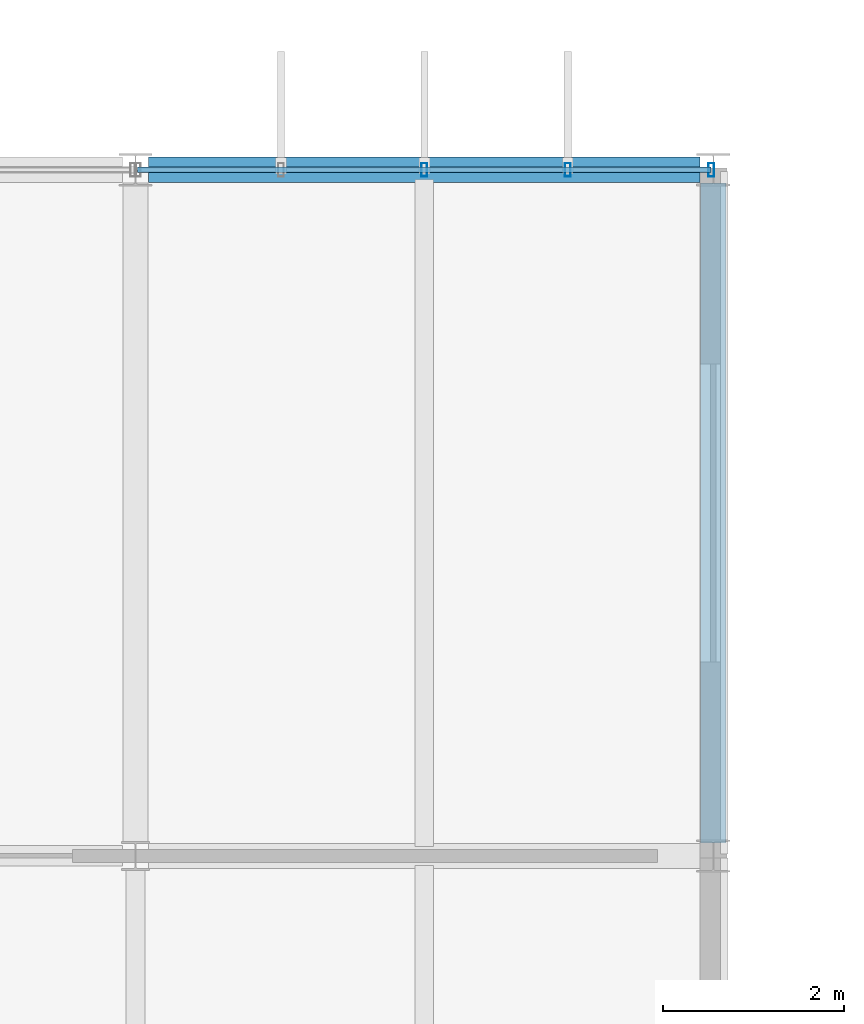
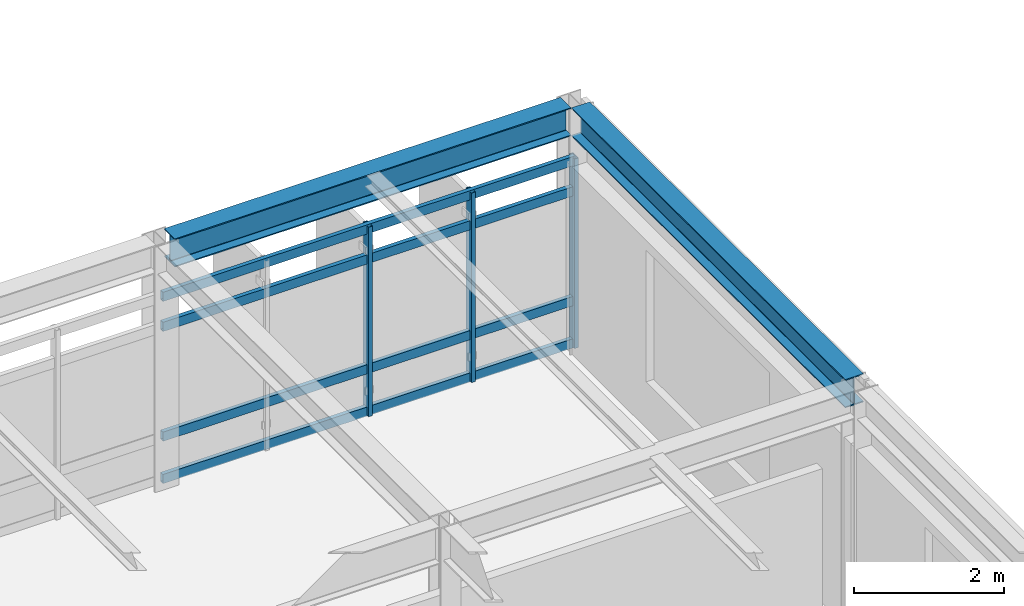
# One storey, part 19 of 45: 7 members, 2 beams, 1 element without a shape of its own.
"""IFC4 building model written with IfcOpenShell, lengths in metres."""

from ifc_helpers import new_model, si_unit, direction, frame, origin, origin_2d, place, context, subcontext, project, spatial, hollow_rectangle, i_section, extrude, material, material_profile, profile_set, type_object, element, aggregate, save


model = new_model("IFC4")

# Units and contexts
model_context = context("Model", 3, precision=1e-05, world=origin(), true_north=direction((0.0, 1.0)))
body_context = subcontext(model_context, "Body", "Model", "MODEL_VIEW")
ifc_project = project(units=[si_unit("LENGTHUNIT", "METRE"), si_unit("AREAUNIT", "SQUARE_METRE"), si_unit("VOLUMEUNIT", "CUBIC_METRE"), si_unit("PLANEANGLEUNIT", "RADIAN"), si_unit("MASSUNIT", "GRAM", prefix="KILO")], contexts=[model_context])

# Site, building, storey
site_placement = place(None, origin())
site = spatial("IfcSite", under=ifc_project, at=site_placement, CompositionType="ELEMENT")
building_placement = place(site_placement, origin())
building = spatial("IfcBuilding", under=site, at=building_placement, Name="Zulena Civic Courthouse", CompositionType="ELEMENT")
storey_placement = place(building_placement, frame((0.0, 0.0, 29.39990234375)))
storey = spatial("IfcBuildingStorey", under=building, at=storey_placement, Name="L06", CompositionType="ELEMENT", Elevation=29.39990234375)

# Curtain wall, members
ifc_material_1 = material(Name="Double-silver low-E laminated solar-control glass", Category="glass")
curtain_wall_type = type_object("IfcCurtainWallType", Name="CW_6352x3090", PredefinedType="USERDEFINED", material=ifc_material_1)
curtain_wall_placement = place(storey_placement, origin())
curtain_wall = element("IfcCurtainWall", 1, at=curtain_wall_placement, inside=storey, type_object=curtain_wall_type, Name="cw:V2:L06:1:6", ObjectType="UNITISED CURTAIN WALL", PredefinedType="USERDEFINED")
ifc_material_2 = material(Name="Bronze anodised thermally broken aluminium AA6063-T6", Category="aluminium")
ifc_material_profile_1 = material_profile(ifc_material_2, hollow_rectangle(XDim=0.06494140625, YDim=0.14990234375, WallThickness=0.00390625, at=origin_2d()), Name="CWM150X65X4")
ifc_profile_set_1 = profile_set([ifc_material_profile_1], Name="Bronze anodised thermally broken aluminium AA6063-T6")
member_type_1 = type_object("IfcMemberType", Name="CWMullion_150x65", PredefinedType="MULLION", material=ifc_profile_set_1)
member_1_placement = place(storey_placement, frame((63.199951171875, 22.800048828125, 0.0), z_axis=(0.0, 0.0, 1.0), x_axis=(1.0, 0.0, 0.0)))
member_1 = element("IfcMember", 2, at=member_1_placement, type_object=member_type_1, Name="cw:V2:L06:1:6:mull:2", PredefinedType="MULLION", context=body_context, shape_type="SweptSolid", body=[
    extrude(hollow_rectangle(XDim=0.06494140625, YDim=0.14990234375, WallThickness=0.00390625, at=origin_2d()), origin(), (0.0, 0.0, 1.0), 3.090087890625),
])
member_2_placement = place(storey_placement, frame((64.7880859375, 22.800048828125, 0.0), z_axis=(0.0, 0.0, 1.0), x_axis=(1.0, 0.0, 0.0)))
member_2 = element("IfcMember", 3, at=member_2_placement, type_object=member_type_1, Name="cw:V2:L06:1:6:mull:3", PredefinedType="MULLION", context=body_context, shape_type="SweptSolid", body=[
    extrude(hollow_rectangle(XDim=0.06494140625, YDim=0.14990234375, WallThickness=0.00390625, at=origin_2d()), origin(), (0.0, 0.0, 1.0), 3.090087890625),
])
member_3_placement = place(storey_placement, frame((66.3759765625, 22.800048828125, 0.0), z_axis=(0.0, 0.0, 1.0), x_axis=(1.0, 0.0, 0.0)))
member_3 = element("IfcMember", 4, at=member_3_placement, type_object=member_type_1, Name="cw:V2:L06:1:6:mull:4", PredefinedType="MULLION", context=body_context, shape_type="SweptSolid", body=[
    extrude(hollow_rectangle(XDim=0.06494140625, YDim=0.14990234375, WallThickness=0.00390625, at=origin_2d()), origin(), (0.0, 0.0, 1.0), 3.090087890625),
])
ifc_material_profile_2 = material_profile(ifc_material_2, hollow_rectangle(XDim=0.06494140625, YDim=0.14990234375, WallThickness=0.00390625, at=origin_2d()), Name="CWT150X65X4")
ifc_profile_set_2 = profile_set([ifc_material_profile_2], Name="Bronze anodised thermally broken aluminium AA6063-T6")
member_type_2 = type_object("IfcMemberType", Name="CWTransom_150x65", PredefinedType="USERDEFINED", material=ifc_profile_set_2)
member_4_placement = place(storey_placement, frame((60.02392578125, 22.800048828125, 0.06005859375), z_axis=(1.0, 0.0, 0.0), x_axis=(0.0, 1.0, 0.0)))
member_4 = element("IfcMember", 5, at=member_4_placement, type_object=member_type_2, Name="cw:V2:L06:1:6:tran:0", ObjectType="TRANSOM", PredefinedType="USERDEFINED", context=body_context, shape_type="SweptSolid", body=[
    extrude(hollow_rectangle(XDim=0.06494140625, YDim=0.14990234375, WallThickness=0.00390625, at=origin_2d()), origin(), (0.0, 0.0, 1.0), 6.35205078125),
])
member_5_placement = place(storey_placement, frame((60.02392578125, 22.800048828125, 0.75), z_axis=(1.0, 0.0, 0.0), x_axis=(0.0, 1.0, 0.0)))
member_5 = element("IfcMember", 6, at=member_5_placement, type_object=member_type_2, Name="cw:V2:L06:1:6:tran:1", ObjectType="TRANSOM", PredefinedType="USERDEFINED", context=body_context, shape_type="SweptSolid", body=[
    extrude(hollow_rectangle(XDim=0.06494140625, YDim=0.14990234375, WallThickness=0.00390625, at=origin_2d()), origin(), (0.0, 0.0, 1.0), 6.35205078125),
])
member_6_placement = place(storey_placement, frame((60.02392578125, 22.800048828125, 2.5400390625), z_axis=(1.0, 0.0, 0.0), x_axis=(0.0, 1.0, 0.0)))
member_6 = element("IfcMember", 7, at=member_6_placement, type_object=member_type_2, Name="cw:V2:L06:1:6:tran:2", ObjectType="TRANSOM", PredefinedType="USERDEFINED", context=body_context, shape_type="SweptSolid", body=[
    extrude(hollow_rectangle(XDim=0.06494140625, YDim=0.14990234375, WallThickness=0.00390625, at=origin_2d()), origin(), (0.0, 0.0, 1.0), 6.35205078125),
])
member_7_placement = place(storey_placement, frame((60.02392578125, 22.800048828125, 3.030029296875), z_axis=(1.0, 0.0, 0.0), x_axis=(0.0, 1.0, 0.0)))
member_7 = element("IfcMember", 8, at=member_7_placement, type_object=member_type_2, Name="cw:V2:L06:1:6:tran:3", ObjectType="TRANSOM", PredefinedType="USERDEFINED", context=body_context, shape_type="SweptSolid", body=[
    extrude(hollow_rectangle(XDim=0.06494140625, YDim=0.14990234375, WallThickness=0.00390625, at=origin_2d()), origin(), (0.0, 0.0, 1.0), 6.35205078125),
])
aggregate(curtain_wall, [member_1, member_2, member_3, member_4, member_5, member_6, member_7])

# Beams
ifc_material_3 = material(Name="Steel ASTM A992 Grade 50", Category="steel")
ifc_material_profile_3 = material_profile(ifc_material_3, i_section(OverallWidth=0.280029296875, OverallDepth=0.462890625, WebThickness=0.0107421875, FlangeThickness=0.017333984375, FilletRadius=0.01025390625, at=origin_2d()), Name="W18X76")
ifc_profile_set_3 = profile_set([ifc_material_profile_3], Name="Steel ASTM A992 Grade 50")
beam_type = type_object("IfcBeamType", Name="Spandrel_W18X76", PredefinedType="SPANDREL", material=ifc_profile_set_3)
beam_1_placement = place(storey_placement, frame((60.14501953125, 22.800048828125, 3.7685546875), z_axis=(1.0, 0.0, 0.0), x_axis=(0.0, 1.0, 0.0)))
element("IfcBeam", 9, at=beam_1_placement, inside=storey, type_object=beam_type, Name="beam:X:V2:L06:22.8:60.0_66.4", PredefinedType="SPANDREL", context=body_context, shape_type="SweptSolid", body=[
    extrude(i_section(OverallWidth=0.280029296875, OverallDepth=0.462890625, WebThickness=0.0107421875, FlangeThickness=0.017333984375, FilletRadius=0.01025390625, at=origin_2d()), origin(), (0.0, 0.0, 1.0), 6.10986328125),
])
beam_2_placement = place(storey_placement, frame((66.39990234375, 15.344970703125, 3.7685546875), z_axis=(0.0, 1.0, 0.0), x_axis=(-1.0, 0.0, 0.0)))
element("IfcBeam", 10, at=beam_2_placement, inside=storey, type_object=beam_type, Name="beam:Y:V2:L06:66.4:15.2_22.8", PredefinedType="SPANDREL", context=body_context, shape_type="SweptSolid", body=[
    extrude(i_section(OverallWidth=0.280029296875, OverallDepth=0.462890625, WebThickness=0.0107421875, FlangeThickness=0.017333984375, FilletRadius=0.01025390625, at=origin_2d()), origin(), (0.0, 0.0, 1.0), 7.31005859375),
])

save(model, "model.ifc")
